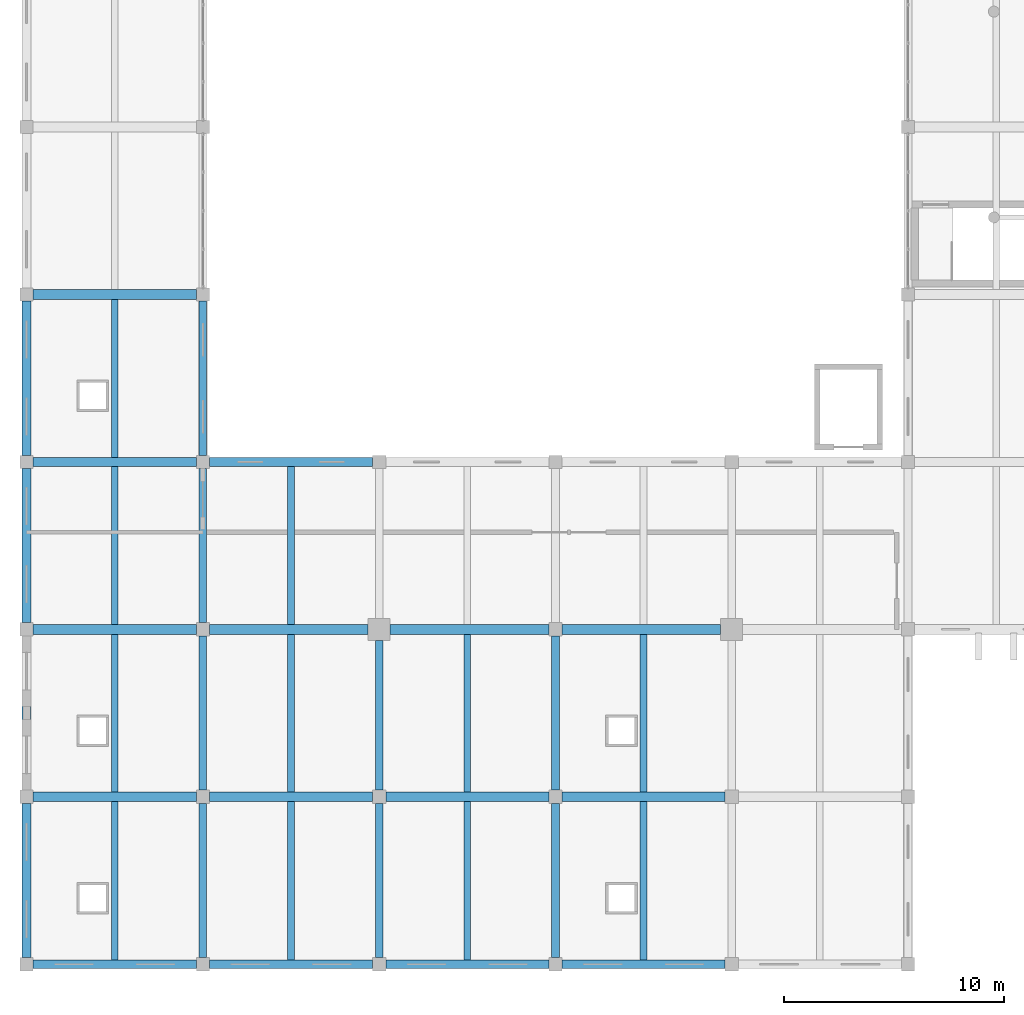
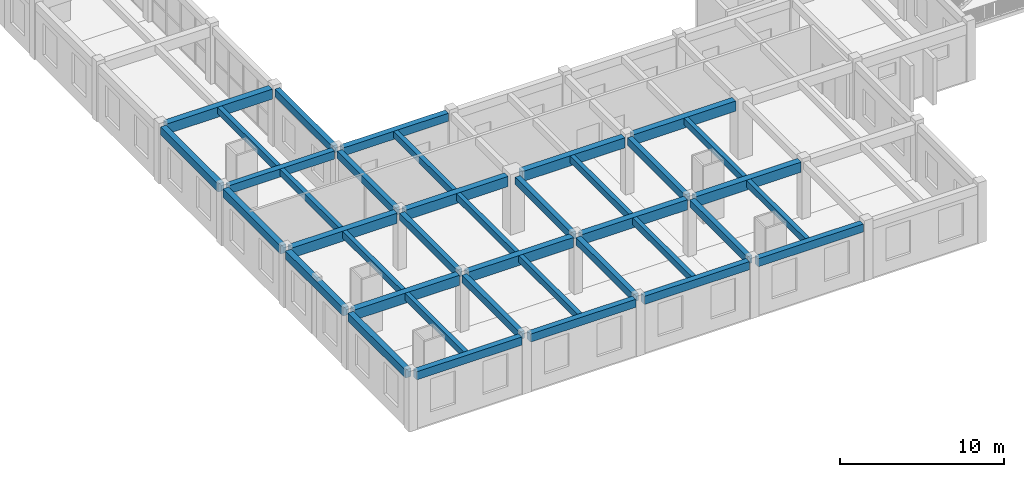
# One storey, part 3 of 79: 38 beams.
"""IFC4 building model written with IfcOpenShell, lengths in metres."""

from ifc_helpers import new_model, si_unit, direction, frame, origin, origin_2d, place, context, subcontext, project, spatial, rectangle, extrude, material, material_profile, profile_set, type_object, element, save


model = new_model("IFC4")

# Units and contexts
model_context = context("Model", 3, precision=1e-05, world=origin(), true_north=direction((0.0, 1.0)))
body_context = subcontext(model_context, "Body", "Model", "MODEL_VIEW")
ifc_project = project(units=[si_unit("LENGTHUNIT", "METRE"), si_unit("AREAUNIT", "SQUARE_METRE"), si_unit("VOLUMEUNIT", "CUBIC_METRE"), si_unit("PLANEANGLEUNIT", "RADIAN"), si_unit("MASSUNIT", "GRAM", prefix="KILO")], contexts=[model_context])

# Site, building, storey
site_placement = place(None, origin())
site = spatial("IfcSite", under=ifc_project, at=site_placement, CompositionType="ELEMENT")
building_placement = place(site_placement, origin())
building = spatial("IfcBuilding", under=site, at=building_placement, Name="Zantavel Square City Hall", CompositionType="ELEMENT")
storey_placement = place(building_placement, frame((0.0, 0.0, 10.199951171875)))
storey = spatial("IfcBuildingStorey", under=building, at=storey_placement, Name="L03", CompositionType="ELEMENT", Elevation=10.199951171875)

# Beams
ifc_material = material(Name="Concrete C35/45", Category="concrete")
ifc_material_profile_1 = material_profile(ifc_material, rectangle(XDim=0.300048828125, YDim=0.5, at=origin_2d()), Name="RC 300x500")
ifc_profile_set_1 = profile_set([ifc_material_profile_1], Name="Concrete C35/45")
beam_type_1 = type_object("IfcBeamType", Name="Floor Joist RC 300x500 C35/45", PredefinedType="JOIST", material=ifc_profile_set_1)
beam_1_placement = place(storey_placement, frame((12.0, 7.800048828125, 3.969970703125), z_axis=(0.0, 1.0, 0.0), x_axis=(-1.0, 0.0, 0.0)))
element("IfcBeam", 1, at=beam_1_placement, inside=storey, type_object=beam_type_1, Name="L03 Floor Joist JST-L03-0120-0076", PredefinedType="JOIST", context=body_context, shape_type="SweptSolid", body=[
    extrude(rectangle(XDim=0.300048828125, YDim=0.5, at=origin_2d()), origin(), (0.0, 0.0, 1.0), 7.175048828125),
])
beam_2_placement = place(storey_placement, frame((12.0, 15.425048828125, 3.969970703125), z_axis=(0.0, 1.0, 0.0), x_axis=(-1.0, 0.0, 0.0)))
element("IfcBeam", 2, at=beam_2_placement, inside=storey, type_object=beam_type_1, Name="L03 Floor Joist JST-L03-0120-0152", PredefinedType="JOIST", context=body_context, shape_type="SweptSolid", body=[
    extrude(rectangle(XDim=0.300048828125, YDim=0.5, at=origin_2d()), origin(), (0.0, 0.0, 1.0), 7.14990234375),
])
beam_3_placement = place(storey_placement, frame((12.0, 23.02490234375, 3.969970703125), z_axis=(0.0, 1.0, 0.0), x_axis=(-1.0, 0.0, 0.0)))
element("IfcBeam", 3, at=beam_3_placement, inside=storey, type_object=beam_type_1, Name="L03 Floor Joist JST-L03-0120-0228", PredefinedType="JOIST", context=body_context, shape_type="SweptSolid", body=[
    extrude(rectangle(XDim=0.300048828125, YDim=0.5, at=origin_2d()), origin(), (0.0, 0.0, 1.0), 7.175048828125),
])
beam_4_placement = place(storey_placement, frame((12.0, 30.60009765625, 3.969970703125), z_axis=(0.0, 1.0, 0.0), x_axis=(-1.0, 0.0, 0.0)))
element("IfcBeam", 4, at=beam_4_placement, inside=storey, type_object=beam_type_1, Name="L03 Floor Joist JST-L03-0120-0304", PredefinedType="JOIST", context=body_context, shape_type="SweptSolid", body=[
    extrude(rectangle(XDim=0.300048828125, YDim=0.5, at=origin_2d()), origin(), (0.0, 0.0, 1.0), 7.1748046875),
])
beam_5_placement = place(storey_placement, frame((20.0, 7.800048828125, 3.969970703125), z_axis=(0.0, 1.0, 0.0), x_axis=(-1.0, 0.0, 0.0)))
element("IfcBeam", 5, at=beam_5_placement, inside=storey, type_object=beam_type_1, Name="L03 Floor Joist JST-L03-0200-0076", PredefinedType="JOIST", context=body_context, shape_type="SweptSolid", body=[
    extrude(rectangle(XDim=0.300048828125, YDim=0.5, at=origin_2d()), origin(), (0.0, 0.0, 1.0), 7.175048828125),
])
beam_6_placement = place(storey_placement, frame((20.0, 15.425048828125, 3.969970703125), z_axis=(0.0, 1.0, 0.0), x_axis=(-1.0, 0.0, 0.0)))
element("IfcBeam", 6, at=beam_6_placement, inside=storey, type_object=beam_type_1, Name="L03 Floor Joist JST-L03-0200-0152", PredefinedType="JOIST", context=body_context, shape_type="SweptSolid", body=[
    extrude(rectangle(XDim=0.300048828125, YDim=0.5, at=origin_2d()), origin(), (0.0, 0.0, 1.0), 7.14990234375),
])
for number, where, z_axis, x_axis, name in (
    (7, (20.0, 23.02490234375, 3.969970703125), (0.0, 1.0, 0.0), (-1.0, 0.0, 0.0), "L03 Floor Joist JST-L03-0200-0228"),
    (8, (28.0, 7.800048828125, 3.969970703125), (0.0, 1.0, 0.0), (-1.0, 0.0, 0.0), "L03 Floor Joist JST-L03-0280-0076"),
):
    element("IfcBeam", number, at=place(storey_placement, frame(where, z_axis=z_axis, x_axis=x_axis)), inside=storey, type_object=beam_type_1, Name=name, PredefinedType="JOIST", context=body_context, shape_type="SweptSolid", body=[
        extrude(rectangle(XDim=0.300048828125, YDim=0.5, at=origin_2d()), origin(), (0.0, 0.0, 1.0), 7.175048828125),
    ])
beam_7_placement = place(storey_placement, frame((28.0, 15.425048828125, 3.969970703125), z_axis=(0.0, 1.0, 0.0), x_axis=(-1.0, 0.0, 0.0)))
element("IfcBeam", 9, at=beam_7_placement, inside=storey, type_object=beam_type_1, Name="L03 Floor Joist JST-L03-0280-0152", PredefinedType="JOIST", context=body_context, shape_type="SweptSolid", body=[
    extrude(rectangle(XDim=0.300048828125, YDim=0.5, at=origin_2d()), origin(), (0.0, 0.0, 1.0), 7.14990234375),
])
beam_8_placement = place(storey_placement, frame((36.0, 7.800048828125, 3.969970703125), z_axis=(0.0, 1.0, 0.0), x_axis=(-1.0, 0.0, 0.0)))
element("IfcBeam", 10, at=beam_8_placement, inside=storey, type_object=beam_type_1, Name="L03 Floor Joist JST-L03-0360-0076", PredefinedType="JOIST", context=body_context, shape_type="SweptSolid", body=[
    extrude(rectangle(XDim=0.300048828125, YDim=0.5, at=origin_2d()), origin(), (0.0, 0.0, 1.0), 7.175048828125),
])
beam_9_placement = place(storey_placement, frame((36.0, 15.425048828125, 3.969970703125), z_axis=(0.0, 1.0, 0.0), x_axis=(-1.0, 0.0, 0.0)))
element("IfcBeam", 11, at=beam_9_placement, inside=storey, type_object=beam_type_1, Name="L03 Floor Joist JST-L03-0360-0152", PredefinedType="JOIST", context=body_context, shape_type="SweptSolid", body=[
    extrude(rectangle(XDim=0.300048828125, YDim=0.5, at=origin_2d()), origin(), (0.0, 0.0, 1.0), 7.14990234375),
])
ifc_material_profile_2 = material_profile(ifc_material, rectangle(XDim=0.39990234375, YDim=0.60009765625, at=origin_2d()), Name="RC 400x600")
ifc_profile_set_2 = profile_set([ifc_material_profile_2], Name="Concrete C35/45")
beam_type_2 = type_object("IfcBeamType", Name="Perimeter Spandrel RC 400x600 C35/45", PredefinedType="SPANDREL", material=ifc_profile_set_2)
beam_10_placement = place(storey_placement, frame((8.300048828125, 7.60009765625, 3.920166015625), z_axis=(1.0, 0.0, 0.0), x_axis=(0.0, 1.0, 0.0)))
element("IfcBeam", 12, at=beam_10_placement, inside=storey, type_object=beam_type_2, Name="L03 Girder BMX-L03-0080-0076", PredefinedType="SPANDREL", context=body_context, shape_type="SweptSolid", body=[
    extrude(rectangle(XDim=0.39990234375, YDim=0.60009765625, at=origin_2d()), origin(), (0.0, 0.0, 1.0), 7.39990234375),
])
for number, where, z_axis, x_axis, name in (
    (13, (8.0, 7.89990234375, 3.920166015625), (0.0, 1.0, 0.0), (-1.0, 0.0, 0.0), "L03 Beam BMY-L03-0080-0076"),
    (14, (8.0, 15.5, 3.920166015625), (0.0, 1.0, 0.0), (-1.0, 0.0, 0.0), "L03 Beam BMY-L03-0080-0152"),
    (15, (8.0, 23.10009765625, 3.920166015625), (0.0, 1.0, 0.0), (-1.0, 0.0, 0.0), "L03 Beam BMY-L03-0080-0228"),
):
    element("IfcBeam", number, at=place(storey_placement, frame(where, z_axis=z_axis, x_axis=x_axis)), inside=storey, type_object=beam_type_2, Name=name, PredefinedType="SPANDREL", context=body_context, shape_type="SweptSolid", body=[
        extrude(rectangle(XDim=0.39990234375, YDim=0.60009765625, at=origin_2d()), origin(), (0.0, 0.0, 1.0), 7.0),
    ])
beam_11_placement = place(storey_placement, frame((8.300048828125, 30.39990234375, 3.920166015625), z_axis=(1.0, 0.0, 0.0), x_axis=(0.0, 1.0, 0.0)))
element("IfcBeam", 16, at=beam_11_placement, inside=storey, type_object=beam_type_2, Name="L03 Girder BMX-L03-0080-0304", PredefinedType="SPANDREL", context=body_context, shape_type="SweptSolid", body=[
    extrude(rectangle(XDim=0.39990234375, YDim=0.60009765625, at=origin_2d()), origin(), (0.0, 0.0, 1.0), 7.39990234375),
])
beam_12_placement = place(storey_placement, frame((8.0, 30.699951171875, 3.920166015625), z_axis=(0.0, 1.0, 0.0), x_axis=(-1.0, 0.0, 0.0)))
element("IfcBeam", 17, at=beam_12_placement, inside=storey, type_object=beam_type_2, Name="L03 Beam BMY-L03-0080-0304", PredefinedType="SPANDREL", context=body_context, shape_type="SweptSolid", body=[
    extrude(rectangle(XDim=0.39990234375, YDim=0.60009765625, at=origin_2d()), origin(), (0.0, 0.0, 1.0), 7.0),
])
for number, where, z_axis, x_axis, name in (
    (18, (16.300048828125, 7.60009765625, 3.920166015625), (1.0, 0.0, 0.0), (0.0, 1.0, 0.0), "L03 Girder BMX-L03-0160-0076"),
    (19, (16.300048828125, 30.39990234375, 3.920166015625), (1.0, 0.0, 0.0), (0.0, 1.0, 0.0), "L03 Girder BMX-L03-0160-0304"),
    (20, (24.300048828125, 7.60009765625, 3.920166015625), (1.0, 0.0, 0.0), (0.0, 1.0, 0.0), "L03 Girder BMX-L03-0240-0076"),
    (21, (32.300048828125, 7.60009765625, 3.920166015625), (1.0, 0.0, 0.0), (0.0, 1.0, 0.0), "L03 Girder BMX-L03-0320-0076"),
):
    element("IfcBeam", number, at=place(storey_placement, frame(where, z_axis=z_axis, x_axis=x_axis)), inside=storey, type_object=beam_type_2, Name=name, PredefinedType="SPANDREL", context=body_context, shape_type="SweptSolid", body=[
        extrude(rectangle(XDim=0.39990234375, YDim=0.60009765625, at=origin_2d()), origin(), (0.0, 0.0, 1.0), 7.39990234375),
    ])
ifc_material_profile_3 = material_profile(ifc_material, rectangle(XDim=0.449951171875, YDim=0.75, at=origin_2d()), Name="RC 450x750")
ifc_profile_set_3 = profile_set([ifc_material_profile_3], Name="Concrete C35/45")
beam_type_3 = type_object("IfcBeamType", Name="Primary Girder RC 450x750 C35/45", PredefinedType="BEAM", material=ifc_profile_set_3)
for number, where, z_axis, x_axis, name in (
    (22, (8.300048828125, 15.199951171875, 3.844970703125), (1.0, 0.0, 0.0), (0.0, 1.0, 0.0), "L03 Girder BMX-L03-0080-0152"),
    (23, (8.300048828125, 22.800048828125, 3.844970703125), (1.0, 0.0, 0.0), (0.0, 1.0, 0.0), "L03 Girder BMX-L03-0080-0228"),
    (24, (8.300048828125, 38.0, 3.844970703125), (1.0, 0.0, 0.0), (0.0, 1.0, 0.0), "L03 Girder BMX-L03-0080-0380"),
    (25, (16.300048828125, 15.199951171875, 3.844970703125), (1.0, 0.0, 0.0), (0.0, 1.0, 0.0), "L03 Girder BMX-L03-0160-0152"),
):
    element("IfcBeam", number, at=place(storey_placement, frame(where, z_axis=z_axis, x_axis=x_axis)), inside=storey, type_object=beam_type_3, Name=name, PredefinedType="BEAM", context=body_context, shape_type="SweptSolid", body=[
        extrude(rectangle(XDim=0.449951171875, YDim=0.75, at=origin_2d()), origin(), (0.0, 0.0, 1.0), 7.39990234375),
    ])
beam_13_placement = place(storey_placement, frame((16.300048828125, 22.800048828125, 3.844970703125), z_axis=(1.0, 0.0, 0.0), x_axis=(0.0, 1.0, 0.0)))
element("IfcBeam", 26, at=beam_13_placement, inside=storey, type_object=beam_type_3, Name="L03 Girder BMX-L03-0160-0228", PredefinedType="BEAM", context=body_context, shape_type="SweptSolid", body=[
    extrude(rectangle(XDim=0.449951171875, YDim=0.75, at=origin_2d()), origin(), (0.0, 0.0, 1.0), 7.199951171875),
])
beam_14_placement = place(storey_placement, frame((24.300048828125, 15.199951171875, 3.844970703125), z_axis=(1.0, 0.0, 0.0), x_axis=(0.0, 1.0, 0.0)))
element("IfcBeam", 27, at=beam_14_placement, inside=storey, type_object=beam_type_3, Name="L03 Girder BMX-L03-0240-0152", PredefinedType="BEAM", context=body_context, shape_type="SweptSolid", body=[
    extrude(rectangle(XDim=0.449951171875, YDim=0.75, at=origin_2d()), origin(), (0.0, 0.0, 1.0), 7.39990234375),
])
beam_15_placement = place(storey_placement, frame((24.5, 22.800048828125, 3.844970703125), z_axis=(1.0, 0.0, 0.0), x_axis=(0.0, 1.0, 0.0)))
element("IfcBeam", 28, at=beam_15_placement, inside=storey, type_object=beam_type_3, Name="L03 Girder BMX-L03-0240-0228", PredefinedType="BEAM", context=body_context, shape_type="SweptSolid", body=[
    extrude(rectangle(XDim=0.449951171875, YDim=0.75, at=origin_2d()), origin(), (0.0, 0.0, 1.0), 7.199951171875),
])
beam_16_placement = place(storey_placement, frame((32.300048828125, 15.199951171875, 3.844970703125), z_axis=(1.0, 0.0, 0.0), x_axis=(0.0, 1.0, 0.0)))
element("IfcBeam", 29, at=beam_16_placement, inside=storey, type_object=beam_type_3, Name="L03 Girder BMX-L03-0320-0152", PredefinedType="BEAM", context=body_context, shape_type="SweptSolid", body=[
    extrude(rectangle(XDim=0.449951171875, YDim=0.75, at=origin_2d()), origin(), (0.0, 0.0, 1.0), 7.39990234375),
])
beam_17_placement = place(storey_placement, frame((32.300048828125, 22.800048828125, 3.844970703125), z_axis=(1.0, 0.0, 0.0), x_axis=(0.0, 1.0, 0.0)))
element("IfcBeam", 30, at=beam_17_placement, inside=storey, type_object=beam_type_3, Name="L03 Girder BMX-L03-0320-0228", PredefinedType="BEAM", context=body_context, shape_type="SweptSolid", body=[
    extrude(rectangle(XDim=0.449951171875, YDim=0.75, at=origin_2d()), origin(), (0.0, 0.0, 1.0), 7.199951171875),
])
ifc_material_profile_4 = material_profile(ifc_material, rectangle(XDim=0.35009765625, YDim=0.550048828125, at=origin_2d()), Name="RC 350x550")
ifc_profile_set_4 = profile_set([ifc_material_profile_4], Name="Concrete C35/45")
beam_type_4 = type_object("IfcBeamType", Name="Secondary Beam RC 350x550 C35/45", PredefinedType="BEAM", material=ifc_profile_set_4)
for number, where, z_axis, x_axis, name in (
    (31, (16.0, 7.89990234375, 3.945068359375), (0.0, 1.0, 0.0), (-1.0, 0.0, 0.0), "L03 Beam BMY-L03-0160-0076"),
    (32, (16.0, 15.5, 3.945068359375), (0.0, 1.0, 0.0), (-1.0, 0.0, 0.0), "L03 Beam BMY-L03-0160-0152"),
    (33, (16.0, 23.10009765625, 3.945068359375), (0.0, 1.0, 0.0), (-1.0, 0.0, 0.0), "L03 Beam BMY-L03-0160-0228"),
    (34, (16.0, 30.699951171875, 3.945068359375), (0.0, 1.0, 0.0), (-1.0, 0.0, 0.0), "L03 Beam BMY-L03-0160-0304"),
    (35, (24.0, 7.89990234375, 3.945068359375), (0.0, 1.0, 0.0), (-1.0, 0.0, 0.0), "L03 Beam BMY-L03-0240-0076"),
):
    element("IfcBeam", number, at=place(storey_placement, frame(where, z_axis=z_axis, x_axis=x_axis)), inside=storey, type_object=beam_type_4, Name=name, PredefinedType="BEAM", context=body_context, shape_type="SweptSolid", body=[
        extrude(rectangle(XDim=0.35009765625, YDim=0.550048828125, at=origin_2d()), origin(), (0.0, 0.0, 1.0), 7.0),
    ])
beam_18_placement = place(storey_placement, frame((24.0, 15.5, 3.945068359375), z_axis=(0.0, 1.0, 0.0), x_axis=(-1.0, 0.0, 0.0)))
element("IfcBeam", 36, at=beam_18_placement, inside=storey, type_object=beam_type_4, Name="L03 Beam BMY-L03-0240-0152", PredefinedType="BEAM", context=body_context, shape_type="SweptSolid", body=[
    extrude(rectangle(XDim=0.35009765625, YDim=0.550048828125, at=origin_2d()), origin(), (0.0, 0.0, 1.0), 6.800048828125),
])
for number, where, z_axis, x_axis, name in (
    (37, (32.0, 7.89990234375, 3.945068359375), (0.0, 1.0, 0.0), (-1.0, 0.0, 0.0), "L03 Beam BMY-L03-0320-0076"),
    (38, (32.0, 15.5, 3.945068359375), (0.0, 1.0, 0.0), (-1.0, 0.0, 0.0), "L03 Beam BMY-L03-0320-0152"),
):
    element("IfcBeam", number, at=place(storey_placement, frame(where, z_axis=z_axis, x_axis=x_axis)), inside=storey, type_object=beam_type_4, Name=name, PredefinedType="BEAM", context=body_context, shape_type="SweptSolid", body=[
        extrude(rectangle(XDim=0.35009765625, YDim=0.550048828125, at=origin_2d()), origin(), (0.0, 0.0, 1.0), 7.0),
    ])

save(model, "model.ifc")
